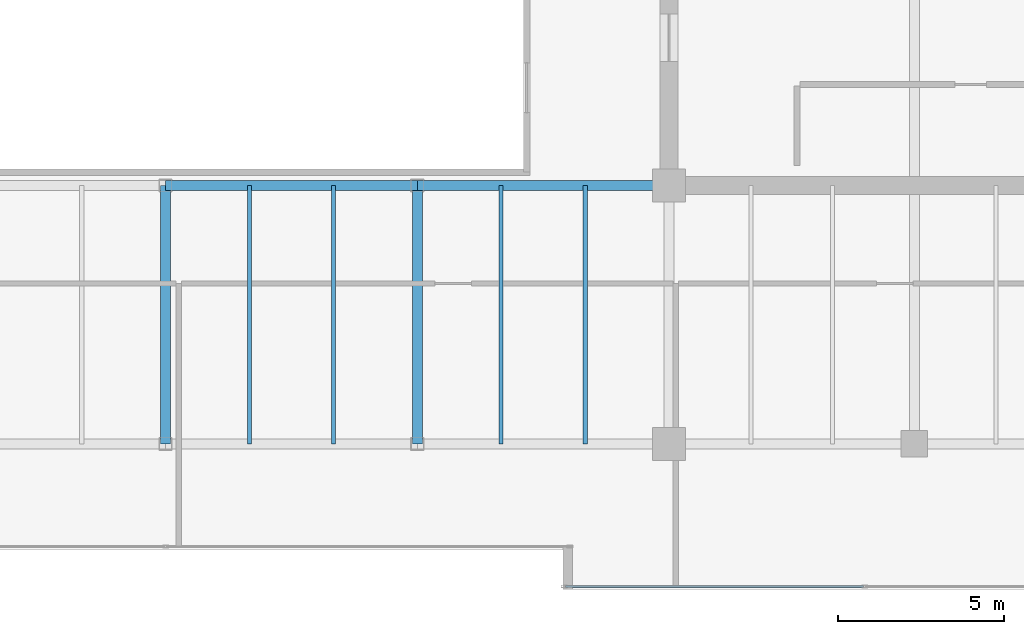
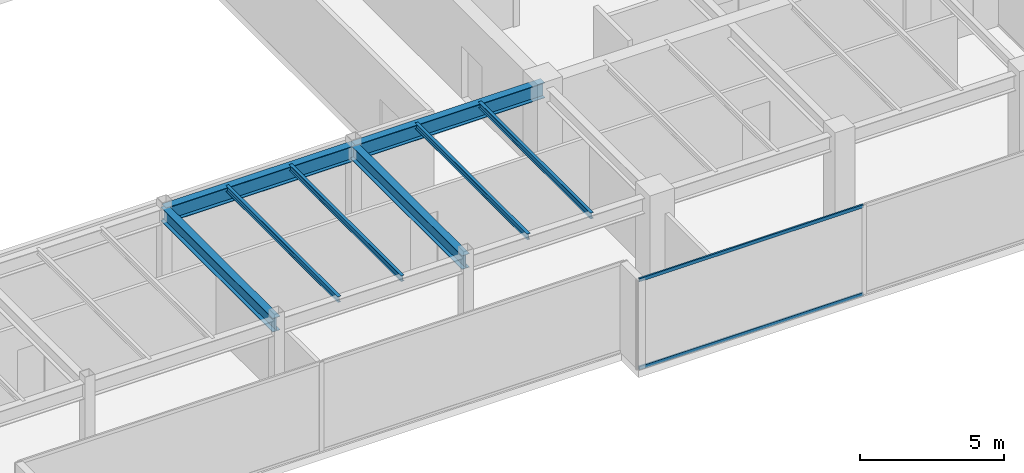
# One storey, part 12 of 33: 8 beams, 2 members, 1 element without a shape of its own.
"""IFC4 building model written with IfcOpenShell, lengths in metres."""

from ifc_helpers import new_model, si_unit, direction, frame, origin, origin_2d, place, context, subcontext, project, spatial, hollow_rectangle, i_section, extrude, source, transform, mapped, material, layer, layer_set, material_profile, profile_set, type_object, type_shapes, element, aggregate, save


model = new_model("IFC4")

# Units and contexts
model_context = context("Model", 3, precision=1e-05, world=origin(), true_north=direction((0.0, 1.0)))
body_context = subcontext(model_context, "Body", "Model", "MODEL_VIEW")
ifc_project = project(units=[si_unit("LENGTHUNIT", "METRE"), si_unit("AREAUNIT", "SQUARE_METRE"), si_unit("VOLUMEUNIT", "CUBIC_METRE"), si_unit("PLANEANGLEUNIT", "RADIAN"), si_unit("MASSUNIT", "GRAM", prefix="KILO")], contexts=[model_context])

# Site, building, storey
site_placement = place(None, origin())
site = spatial("IfcSite", under=ifc_project, at=site_placement, CompositionType="ELEMENT")
building_placement = place(site_placement, origin())
building = spatial("IfcBuilding", under=site, at=building_placement, Name="Haelvirn Gate Laboratories", CompositionType="ELEMENT")
storey_placement = place(building_placement, frame((0.0, 0.0, 267.0)))
storey = spatial("IfcBuildingStorey", under=building, at=storey_placement, Name="L64", CompositionType="ELEMENT", Elevation=267.0)

# Beams
ifc_material_1 = material(Name="Steel SM355", Category="steel")
ifc_material_profile_1 = material_profile(ifc_material_1, i_section(OverallWidth=0.300048828125, OverallDepth=0.587890625, WebThickness=0.011962890625, FlangeThickness=0.02001953125, at=origin_2d()), Name="H-588x300x12x20")
ifc_profile_set_1 = profile_set([ifc_material_profile_1], Name="Steel SM355")
beam_type_1 = type_object("IfcBeamType", Name="BM-G-588", PredefinedType="BEAM", material=ifc_profile_set_1)
shared_shape_1 = source(origin(), body_context, "Body", "SweptSolid", [
    extrude(i_section(OverallWidth=0.300048828125, OverallDepth=0.587890625, WebThickness=0.011962890625, FlangeThickness=0.02001953125, at=origin_2d()), origin(), (0.0, 0.0, 1.0), 7.800048828125),
])
type_shapes(beam_type_1, [shared_shape_1])
for number, where, z_axis, x_axis, name in (
    (1, (37.39990234375, 7.0, 3.506103515625), (0.0, 1.0, 0.0), (-1.0, 0.0, 0.0), "L64 Frame Girder X37.4 (7.0-14.8)"),
    (2, (45.0, 7.0, 3.506103515625), (0.0, 1.0, 0.0), (-1.0, 0.0, 0.0), "L64 Frame Girder X45.0 (7.0-14.8)"),
):
    element("IfcBeam", number, at=place(storey_placement, frame(where, z_axis=z_axis, x_axis=x_axis)), inside=storey, type_object=beam_type_1, Name=name, PredefinedType="BEAM", context=body_context, shape_type="MappedRepresentation", body=[
        mapped(shared_shape_1, transform((0.0, 0.0, 0.0), scale=1.0)),
    ])
ifc_material_profile_2 = material_profile(ifc_material_1, i_section(OverallWidth=0.300048828125, OverallDepth=0.64990234375, WebThickness=0.012939453125, FlangeThickness=0.02197265625, at=origin_2d()), Name="H-650x300x13x22")
ifc_profile_set_2 = profile_set([ifc_material_profile_2], Name="Steel SM355")
beam_type_2 = type_object("IfcBeamType", Name="BM-G-650", PredefinedType="BEAM", material=ifc_profile_set_2)
shared_shape_2 = source(origin(), body_context, "Body", "SweptSolid", [
    extrude(i_section(OverallWidth=0.300048828125, OverallDepth=0.64990234375, WebThickness=0.012939453125, FlangeThickness=0.02197265625, at=origin_2d()), origin(), (0.0, 0.0, 1.0), 7.60009765625),
])
type_shapes(beam_type_2, [shared_shape_2])
for number, where, z_axis, x_axis, name in (
    (3, (37.39990234375, 14.800048828125, 3.47509765625), (1.0, 0.0, 0.0), (0.0, 1.0, 0.0), "L64 Primary Girder Y14.8 (37.4-45.0)"),
    (4, (45.0, 14.800048828125, 3.47509765625), (1.0, 0.0, 0.0), (0.0, 1.0, 0.0), "L64 Primary Girder Y14.8 (45.0-52.6)"),
):
    element("IfcBeam", number, at=place(storey_placement, frame(where, z_axis=z_axis, x_axis=x_axis)), inside=storey, type_object=beam_type_2, Name=name, PredefinedType="BEAM", context=body_context, shape_type="MappedRepresentation", body=[
        mapped(shared_shape_2, transform((0.0, 0.0, 0.0), scale=1.0)),
    ])
ifc_material_profile_3 = material_profile(ifc_material_1, i_section(OverallWidth=0.125, OverallDepth=0.25, WebThickness=0.006103515625, FlangeThickness=0.009033203125, at=origin_2d()), Name="H-250x125x6x9")
ifc_profile_set_3 = profile_set([ifc_material_profile_3], Name="Steel SM355")
beam_type_3 = type_object("IfcBeamType", Name="BM-J-250", PredefinedType="JOIST", material=ifc_profile_set_3)
shared_shape_3 = source(origin(), body_context, "Body", "SweptSolid", [
    extrude(i_section(OverallWidth=0.125, OverallDepth=0.25, WebThickness=0.006103515625, FlangeThickness=0.009033203125, at=origin_2d()), origin(), (0.0, 0.0, 1.0), 7.800048828125),
])
type_shapes(beam_type_3, [shared_shape_3])
for number, where, z_axis, x_axis, name in (
    (5, (39.929931640625, 7.0, 3.675048828125), (0.0, 1.0, 0.0), (-1.0, 0.0, 0.0), "L64 Composite Lab Joist South X39.93"),
    (6, (42.469970703125, 7.0, 3.675048828125), (0.0, 1.0, 0.0), (-1.0, 0.0, 0.0), "L64 Composite Lab Joist South X42.47"),
    (7, (47.530029296875, 7.0, 3.675048828125), (0.0, 1.0, 0.0), (-1.0, 0.0, 0.0), "L64 Composite Lab Joist South X47.53"),
    (8, (50.070068359375, 7.0, 3.675048828125), (0.0, 1.0, 0.0), (-1.0, 0.0, 0.0), "L64 Composite Lab Joist South X50.07"),
):
    element("IfcBeam", number, at=place(storey_placement, frame(where, z_axis=z_axis, x_axis=x_axis)), inside=storey, type_object=beam_type_3, Name=name, PredefinedType="JOIST", context=body_context, shape_type="MappedRepresentation", body=[
        mapped(shared_shape_3, transform((0.0, 0.0, 0.0), scale=1.0)),
    ])

# Curtain wall, members
ifc_material_2 = material(Name="Anodised bronze unitised aluminium & triple low-E glass", Category="aluminium")
ifc_layer = layer(ifc_material_2, 0.176025390625, Name="CW-SYS-4")
ifc_layer_set = layer_set([ifc_layer], Name="Anodised bronze unitised aluminium & triple low-E glass")
curtain_wall_type = type_object("IfcCurtainWallType", Name="CW-SYS-4", PredefinedType="NOTDEFINED", material=ifc_layer_set)
curtain_wall_placement = place(storey_placement, origin())
curtain_wall = element("IfcCurtainWall", 9, at=curtain_wall_placement, inside=storey, type_object=curtain_wall_type, Name="L64 Unitised Curtain Wall CW-L64-P0-E04-1", PredefinedType="NOTDEFINED")
ifc_material_3 = material(Name="Extruded aluminium 6063-T6 (anodised bronze)", Category="aluminium")
ifc_material_profile_4 = material_profile(ifc_material_3, hollow_rectangle(XDim=0.06494140625, YDim=0.139892578125, WallThickness=0.00390625, at=origin_2d()), Name="CWT-140x65x4")
ifc_profile_set_4 = profile_set([ifc_material_profile_4], Name="Extruded aluminium 6063-T6 (anodised bronze)")
member_type = type_object("IfcMemberType", Name="CWT-T140", PredefinedType="USERDEFINED", material=ifc_profile_set_4)
shared_shape_4 = source(origin(), body_context, "Body", "SweptSolid", [
    extrude(hollow_rectangle(XDim=0.06494140625, YDim=0.139892578125, WallThickness=0.00390625, at=origin_2d()), origin(), (0.0, 0.0, 1.0), 8.9951171875),
])
type_shapes(member_type, [shared_shape_4])
member_1_placement = place(storey_placement, frame((49.469970703125, 2.699951171875, 0.032470703125), z_axis=(1.0, 0.0, 0.0), x_axis=(0.0, 1.0, 0.0)))
member_1 = element("IfcMember", 10, at=member_1_placement, type_object=member_type, Name="CW4 transom 1.1", ObjectType="TRANSOM", PredefinedType="USERDEFINED", context=body_context, shape_type="MappedRepresentation", body=[
    mapped(shared_shape_4, transform((0.0, 0.0, 0.0), scale=1.0)),
])
member_2_placement = place(storey_placement, frame((49.469970703125, 2.699951171875, 3.767578125), z_axis=(1.0, 0.0, 0.0), x_axis=(0.0, 1.0, 0.0)))
member_2 = element("IfcMember", 11, at=member_2_placement, type_object=member_type, Name="CW4 transom 1.2", ObjectType="TRANSOM", PredefinedType="USERDEFINED", context=body_context, shape_type="MappedRepresentation", body=[
    mapped(shared_shape_4, transform((0.0, 0.0, 0.0), scale=1.0)),
])
aggregate(curtain_wall, [member_1, member_2])

save(model, "model.ifc")
